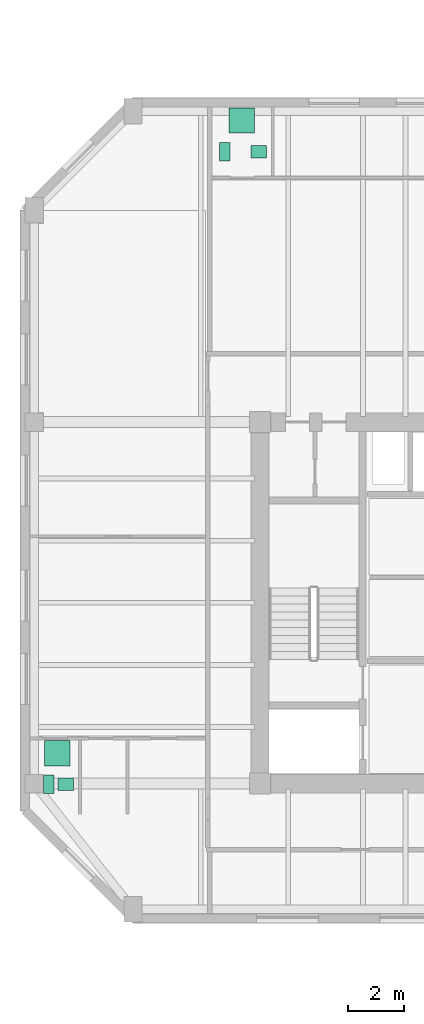
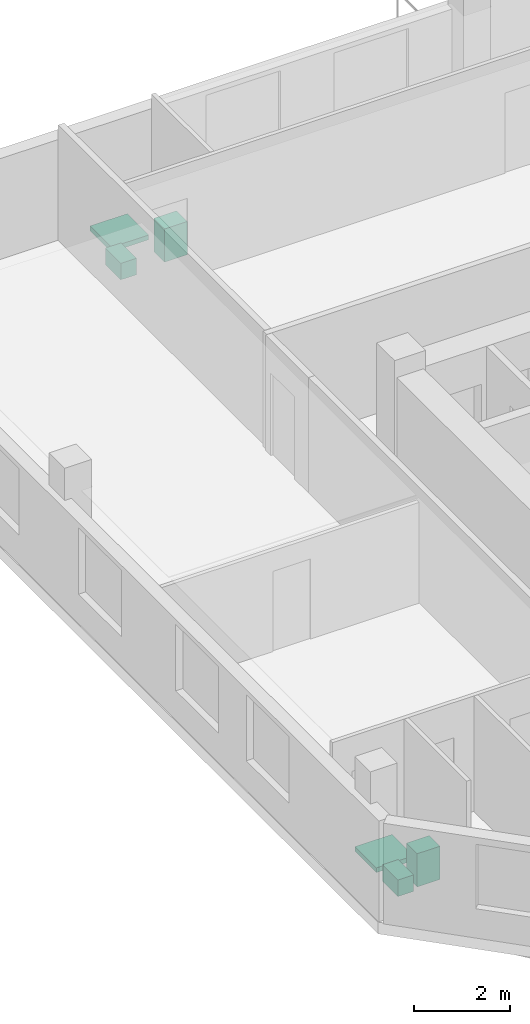
# One storey, part 10 of 10: 6 sanitary terminals.
"""IFC4 building model written with IfcOpenShell, lengths in metres."""

from ifc_helpers import new_model, si_unit, direction, frame, origin, origin_2d, place, context, subcontext, project, spatial, rectangle, extrude, material, type_object, element, save


model = new_model("IFC4")

# Units and contexts
model_context = context("Model", 3, precision=1e-05, world=origin(), true_north=direction((0.0, 1.0)))
body_context = subcontext(model_context, "Body", "Model", "MODEL_VIEW")
ifc_project = project(units=[si_unit("LENGTHUNIT", "METRE"), si_unit("AREAUNIT", "SQUARE_METRE"), si_unit("VOLUMEUNIT", "CUBIC_METRE"), si_unit("PLANEANGLEUNIT", "RADIAN"), si_unit("MASSUNIT", "GRAM", prefix="KILO")], contexts=[model_context])

# Site, building, storey
site_placement = place(None, origin())
site = spatial("IfcSite", under=ifc_project, at=site_placement, CompositionType="ELEMENT")
building_placement = place(site_placement, origin())
building = spatial("IfcBuilding", under=site, at=building_placement, Name="Kranthara Brick Stack", CompositionType="ELEMENT")
storey_placement = place(building_placement, frame((0.0, 0.0, 278.89990234375)))
storey = spatial("IfcBuildingStorey", under=building, at=storey_placement, Name="L74", CompositionType="ELEMENT", Elevation=278.89990234375)

# Sanitary terminals
ifc_material_1 = material(Name="Vitreous china sanitary porcelain", Category="other")
sanitary_terminal_type_1 = type_object("IfcSanitaryTerminalType", Name="SAN-BASIN", PredefinedType="WASHHANDBASIN", material=ifc_material_1)
for number, where, z_axis, x_axis, name in (
    (1, (12.75, 43.175048828125, 0.0), (0.0, 0.0, 1.0), (1.0, 0.0, 0.0), "L74 Washbasin 381"),
    (2, (5.925048828125, 20.77490234375, 0.0), (0.0, 0.0, 1.0), (1.0, 0.0, 0.0), "L74 Washbasin 382"),
):
    element("IfcSanitaryTerminal", number, at=place(storey_placement, frame(where, z_axis=z_axis, x_axis=x_axis)), inside=storey, type_object=sanitary_terminal_type_1, Name=name, PredefinedType="WASHHANDBASIN", context=body_context, shape_type="SweptSolid", body=[
        extrude(rectangle(XDim=0.550048828125, YDim=0.449951171875, at=origin_2d()), origin(), (0.0, 0.0, 1.0), 0.85009765625),
    ])
ifc_material_2 = material(Name="Acrylic and porcelain shower tray", Category="other")
sanitary_terminal_type_2 = type_object("IfcSanitaryTerminalType", Name="SAN-SHOWER", PredefinedType="SHOWER", material=ifc_material_2)
for number, where, z_axis, x_axis, name in (
    (3, (12.14990234375, 44.280029296875, 0.0), (0.0, 0.0, 1.0), (1.0, 0.0, 0.0), "L74 Shower Tray 381"),
    (4, (5.623046875, 21.8798828125, 0.0), (0.0, 0.0, 1.0), (1.0, 0.0, 0.0), "L74 Shower Tray 382"),
):
    element("IfcSanitaryTerminal", number, at=place(storey_placement, frame(where, z_axis=z_axis, x_axis=x_axis)), inside=storey, type_object=sanitary_terminal_type_2, Name=name, PredefinedType="SHOWER", context=body_context, shape_type="SweptSolid", body=[
        extrude(rectangle(XDim=0.89990234375, YDim=0.89990234375, at=origin_2d()), origin(), (0.0, 0.0, 1.0), 0.1201171875),
    ])
ifc_material_3 = material(Name="Vitreous china sanitary porcelain", Category="other")
sanitary_terminal_type_3 = type_object("IfcSanitaryTerminalType", Name="SAN-WC-PAN", PredefinedType="TOILETPAN", material=ifc_material_3)
for number, where, z_axis, x_axis, name in (
    (5, (11.550048828125, 43.175048828125, 0.000244140625), (0.0, 0.0, 1.0), (1.0, 0.0, 0.0), "L74 WC Pan 381"),
    (6, (5.320068359375, 20.77490234375, 0.000244140625), (0.0, 0.0, 1.0), (1.0, 0.0, 0.0), "L74 WC Pan 382"),
):
    element("IfcSanitaryTerminal", number, at=place(storey_placement, frame(where, z_axis=z_axis, x_axis=x_axis)), inside=storey, type_object=sanitary_terminal_type_3, Name=name, PredefinedType="TOILETPAN", context=body_context, shape_type="SweptSolid", body=[
        extrude(rectangle(XDim=0.3798828125, YDim=0.64990234375, at=origin_2d()), origin(), (0.0, 0.0, 1.0), 0.419921875),
    ])

save(model, "model.ifc")
